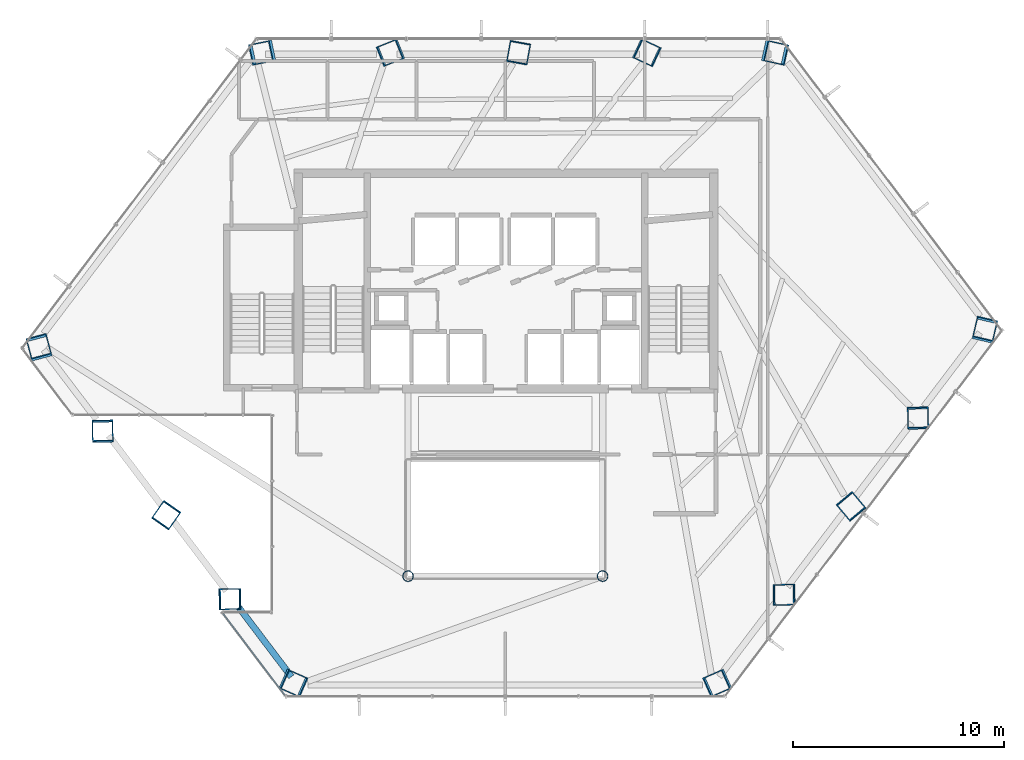
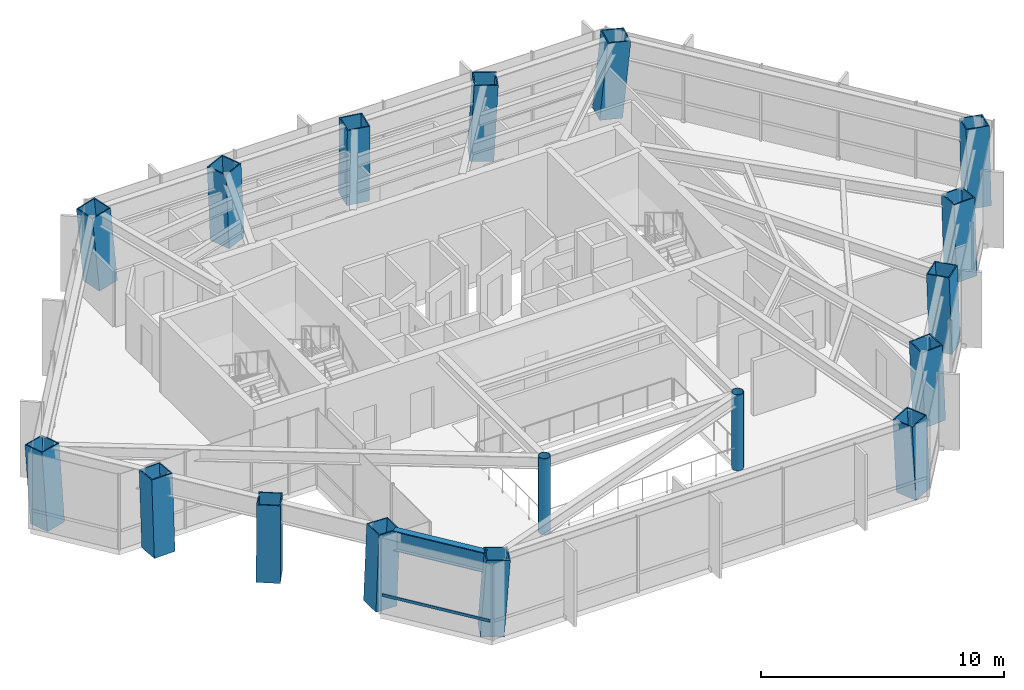
# One storey, part 1 of 24: 17 columns, 1 beam, 1 member, 1 element without a shape of its own.
"""IFC4 building model written with IfcOpenShell, lengths in metres."""

from ifc_helpers import new_model, si_unit, direction, frame, origin, origin_2d, place, context, subcontext, project, spatial, hollow_rectangle, hollow_circle, i_section, extrude, material, layer, layer_set, material_profile, profile_set, type_object, element, aggregate, save


model = new_model("IFC4")

# Units and contexts
model_context = context("Model", 3, precision=1e-05, world=origin(), true_north=direction((0.0, 1.0)))
body_context = subcontext(model_context, "Body", "Model", "MODEL_VIEW")
ifc_project = project(units=[si_unit("LENGTHUNIT", "METRE"), si_unit("AREAUNIT", "SQUARE_METRE"), si_unit("VOLUMEUNIT", "CUBIC_METRE"), si_unit("PLANEANGLEUNIT", "RADIAN"), si_unit("MASSUNIT", "GRAM", prefix="KILO")], contexts=[model_context])

# Site, building, storey
site_placement = place(None, origin())
site = spatial("IfcSite", under=ifc_project, at=site_placement, CompositionType="ELEMENT")
building_placement = place(site_placement, origin())
building = spatial("IfcBuilding", under=site, at=building_placement, Name="Zarrinselat Tower", CompositionType="ELEMENT")
storey_placement = place(building_placement, frame((0.0, 0.0, 68.340087890625)))
storey = spatial("IfcBuildingStorey", under=building, at=storey_placement, Name="L16", CompositionType="ELEMENT", Elevation=68.340087890625)

# Columns
ifc_material_1 = material(Name="Steel S355J2", Category="steel")
ifc_material_profile_1 = material_profile(ifc_material_1, hollow_circle(Radius=0.25390625, WallThickness=0.02001953125, at=origin_2d()), Name="CHS 508x20")
ifc_profile_set_1 = profile_set([ifc_material_profile_1], Name="Steel S355J2")
column_type_1 = type_object("IfcColumnType", Name="COL-CHS508", PredefinedType="COLUMN", material=ifc_profile_set_1)
for number, where, z_axis, x_axis, name in (
    (1, (33.800048828125, 24.39990234375, 0.0), (0.0, 0.0, 1.0), (1.0, 0.0, 0.0), "L16 Atrium Corner Column 1"),
    (2, (43.0, 24.39990234375, 0.0), (0.0, 0.0, 1.0), (1.0, 0.0, 0.0), "L16 Atrium Corner Column 2"),
):
    element("IfcColumn", number, at=place(storey_placement, frame(where, z_axis=z_axis, x_axis=x_axis)), inside=storey, type_object=column_type_1, Name=name, PredefinedType="COLUMN", context=body_context, shape_type="SweptSolid", body=[
        extrude(hollow_circle(Radius=0.25390625, WallThickness=0.02001953125, at=origin_2d()), origin(), (0.0, 0.0, 1.0), 3.81982421875),
    ])
ifc_material_2 = material(Name="Steel S460M", Category="steel")
ifc_material_profile_2 = material_profile(ifc_material_2, hollow_rectangle(XDim=1.0, YDim=1.0, WallThickness=0.050048828125, at=origin_2d()), Name="SHS 1000x1000x50")
ifc_profile_set_2 = profile_set([ifc_material_profile_2], Name="Steel S460M")
column_type_2 = type_object("IfcColumnType", Name="COL-SHS1000", PredefinedType="COLUMN", material=ifc_profile_set_2)
column_1_placement = place(storey_placement, frame((51.102783203125, 49.1611328125, 0.0), z_axis=(0.091314571576, -0.020299197444, 0.995615182488), x_axis=(0.217002484606, 0.976171051443, 0.0)))
element("IfcColumn", 3, at=column_1_placement, inside=storey, type_object=column_type_2, Name="L16 Framed-Tube Column T01", PredefinedType="COLUMN", context=body_context, shape_type="SweptSolid", body=[
    extrude(hollow_rectangle(XDim=1.0, YDim=1.0, WallThickness=0.050048828125, at=origin_2d()), origin(), (0.0, 0.0, 1.0), 3.836669921875),
])
column_2_placement = place(storey_placement, frame((45.067138671875, 49.1611328125, 0.0), z_axis=(0.043921338249, -0.020364690264, 0.998827410235), x_axis=(0.42064633694, 0.907224701614, 0.0)))
element("IfcColumn", 4, at=column_2_placement, inside=storey, type_object=column_type_2, Name="L16 Framed-Tube Column T02", PredefinedType="COLUMN", context=body_context, shape_type="SweptSolid", body=[
    extrude(hollow_rectangle(XDim=1.0, YDim=1.0, WallThickness=0.050048828125, at=origin_2d()), origin(), (0.0, 0.0, 1.0), 3.82421875),
])
column_3_placement = place(storey_placement, frame((39.03125, 49.1611328125, 0.0), z_axis=(-0.003706222059, -0.020384221326, 0.999785350682), x_axis=(0.9838699101, -0.1788854382, 0.0)))
element("IfcColumn", 5, at=column_3_placement, inside=storey, type_object=column_type_2, Name="L16 Framed-Tube Column T03", PredefinedType="COLUMN", context=body_context, shape_type="SweptSolid", body=[
    extrude(hollow_rectangle(XDim=1.0, YDim=1.0, WallThickness=0.050048828125, at=origin_2d()), origin(), (0.0, 0.0, 1.0), 3.820556640625),
])
column_4_placement = place(storey_placement, frame((32.995361328125, 49.1611328125, 0.0), z_axis=(-0.051244939284, -0.02035757862, 0.998478605274), x_axis=(0.36919466432, -0.929352086046, 0.0)))
element("IfcColumn", 6, at=column_4_placement, inside=storey, type_object=column_type_2, Name="L16 Framed-Tube Column T04", PredefinedType="COLUMN", context=body_context, shape_type="SweptSolid", body=[
    extrude(hollow_rectangle(XDim=1.0, YDim=1.0, WallThickness=0.050048828125, at=origin_2d()), origin(), (0.0, 0.0, 1.0), 3.82568359375),
])
column_5_placement = place(storey_placement, frame((26.959716796875, 49.1611328125, 0.0), z_axis=(-0.098563985299, -0.020285104071, 0.994923944508), x_axis=(0.201581600016, -0.979471724214, 0.0)))
element("IfcColumn", 7, at=column_5_placement, inside=storey, type_object=column_type_2, Name="L16 Framed-Tube Column T05", PredefinedType="COLUMN", context=body_context, shape_type="SweptSolid", body=[
    extrude(hollow_rectangle(XDim=1.0, YDim=1.0, WallThickness=0.050048828125, at=origin_2d()), origin(), (0.0, 0.0, 1.0), 3.83935546875),
])
column_6_placement = place(storey_placement, frame((16.364013671875, 35.1748046875, 0.0), z_axis=(-0.021653582575, 0.08139199568, 0.996446920513), x_axis=(-0.966385381035, -0.2570978322, 0.0)))
element("IfcColumn", 8, at=column_6_placement, inside=storey, type_object=column_type_2, Name="L16 Framed-Tube Column T06", PredefinedType="COLUMN", context=body_context, shape_type="SweptSolid", body=[
    extrude(hollow_rectangle(XDim=1.0, YDim=1.0, WallThickness=0.050048828125, at=origin_2d()), origin(), (0.0, 0.0, 1.0), 3.83349609375),
])
column_7_placement = place(storey_placement, frame((19.360107421875, 31.22021484375, 0.0), z_axis=(-0.001276376581, 0.054565098847, 0.99850939948), x_axis=(-0.99972652377, -0.023385415761, 0.0)))
element("IfcColumn", 9, at=column_7_placement, inside=storey, type_object=column_type_2, Name="L16 Framed-Tube Column T07", PredefinedType="COLUMN", context=body_context, shape_type="SweptSolid", body=[
    extrude(hollow_rectangle(XDim=1.0, YDim=1.0, WallThickness=0.050048828125, at=origin_2d()), origin(), (0.0, 0.0, 1.0), 3.825439453125),
])
column_8_placement = place(storey_placement, frame((22.35595703125, 27.265625, 0.0), z_axis=(0.019227293745, 0.027531440545, 0.999436006434), x_axis=(-0.819856995509, 0.572568342571, 0.0)))
element("IfcColumn", 10, at=column_8_placement, inside=storey, type_object=column_type_2, Name="L16 Framed-Tube Column T08", PredefinedType="COLUMN", context=body_context, shape_type="SweptSolid", body=[
    extrude(hollow_rectangle(XDim=1.0, YDim=1.0, WallThickness=0.050048828125, at=origin_2d()), origin(), (0.0, 0.0, 1.0), 3.822021484375),
])
column_9_placement = place(storey_placement, frame((25.351806640625, 23.31103515625, 0.0), z_axis=(0.039723187287, 0.000510909161, 0.999210592099), x_axis=(-0.012860672645, 0.99991729813, 0.0)))
element("IfcColumn", 11, at=column_9_placement, inside=storey, type_object=column_type_2, Name="L16 Framed-Tube Column T09", PredefinedType="COLUMN", context=body_context, shape_type="SweptSolid", body=[
    extrude(hollow_rectangle(XDim=1.0, YDim=1.0, WallThickness=0.050048828125, at=origin_2d()), origin(), (0.0, 0.0, 1.0), 3.82275390625),
])
for number, where, z_axis, x_axis, name in (
    (12, (28.34765625, 19.3564453125, 0.0), (0.06014064601, -0.026530762185, 0.997837271981), (0.403616319493, 0.91492833962, 0.0), "L16 Framed-Tube Column T10"),
    (13, (48.452392578125, 19.3564453125, 0.0), (-0.06014064601, -0.026530762185, 0.997837271981), (0.403616319493, -0.91492833962, 0.0), "L16 Framed-Tube Column T11"),
):
    element("IfcColumn", number, at=place(storey_placement, frame(where, z_axis=z_axis, x_axis=x_axis)), inside=storey, type_object=column_type_2, Name=name, PredefinedType="COLUMN", context=body_context, shape_type="SweptSolid", body=[
        extrude(hollow_rectangle(XDim=1.0, YDim=1.0, WallThickness=0.050048828125, at=origin_2d()), origin(), (0.0, 0.0, 1.0), 3.828125),
    ])
column_10_placement = place(storey_placement, frame((51.60595703125, 23.519287109375, 0.0), z_axis=(-0.040615814873, -0.000702474786, 0.999174590405), x_axis=(0.017293011182, -0.999850464702, 0.0)))
element("IfcColumn", 14, at=column_10_placement, inside=storey, type_object=column_type_2, Name="L16 Framed-Tube Column T12", PredefinedType="COLUMN", context=body_context, shape_type="SweptSolid", body=[
    extrude(hollow_rectangle(XDim=1.0, YDim=1.0, WallThickness=0.050048828125, at=origin_2d()), origin(), (0.0, 0.0, 1.0), 3.822998046875),
])
column_11_placement = place(storey_placement, frame((54.759765625, 27.682373046875, 0.0), z_axis=(-0.021080316934, 0.025104741076, 0.999462541676), x_axis=(-0.765820016719, -0.643054975871, 0.0)))
element("IfcColumn", 15, at=column_11_placement, inside=storey, type_object=column_type_2, Name="L16 Framed-Tube Column T13", PredefinedType="COLUMN", context=body_context, shape_type="SweptSolid", body=[
    extrude(hollow_rectangle(XDim=1.0, YDim=1.0, WallThickness=0.050048828125, at=origin_2d()), origin(), (0.0, 0.0, 1.0), 3.82177734375),
])
column_12_placement = place(storey_placement, frame((57.91357421875, 31.84521484375, 0.0), z_axis=(-0.001531950294, 0.050873516023, 0.998703929348), x_axis=(-0.999546914037, -0.03009927972, 0.0)))
element("IfcColumn", 16, at=column_12_placement, inside=storey, type_object=column_type_2, Name="L16 Framed-Tube Column T14", PredefinedType="COLUMN", context=body_context, shape_type="SweptSolid", body=[
    extrude(hollow_rectangle(XDim=1.0, YDim=1.0, WallThickness=0.050048828125, at=origin_2d()), origin(), (0.0, 0.0, 1.0), 3.82470703125),
])
column_13_placement = place(storey_placement, frame((61.067138671875, 36.00830078125, 0.0), z_axis=(0.018031703959, 0.076523238356, 0.996904735491), x_axis=(-0.973342715599, 0.229355527489, 0.0)))
element("IfcColumn", 17, at=column_13_placement, inside=storey, type_object=column_type_2, Name="L16 Framed-Tube Column T15", PredefinedType="COLUMN", context=body_context, shape_type="SweptSolid", body=[
    extrude(hollow_rectangle(XDim=1.0, YDim=1.0, WallThickness=0.050048828125, at=origin_2d()), origin(), (0.0, 0.0, 1.0), 3.831787109375),
])

# Beam
ifc_material_3 = material(Name="Steel S460M", Category="steel")
ifc_material_profile_3 = material_profile(ifc_material_3, i_section(OverallWidth=0.302001953125, OverallDepth=1.008056640625, WebThickness=0.02099609375, FlangeThickness=0.0400390625, at=origin_2d()), Name="HEM 1000")
ifc_profile_set_3 = profile_set([ifc_material_profile_3], Name="Steel S460M")
beam_type = type_object("IfcBeamType", Name="BM-HEM1000", PredefinedType="BEAM", material=ifc_profile_set_3)
beam_placement = place(storey_placement, frame((25.79833984375, 22.923828125, 3.31591796875), z_axis=(0.60385654571, -0.797093013521, 0.0), x_axis=(0.797093013521, 0.60385654571, 0.0)))
element("IfcBeam", 18, at=beam_placement, inside=storey, type_object=beam_type, Name="L16 Perimeter Spandrel Girder SP09", PredefinedType="BEAM", context=body_context, shape_type="SweptSolid", body=[
    extrude(i_section(OverallWidth=0.302001953125, OverallDepth=1.008056640625, WebThickness=0.02099609375, FlangeThickness=0.0400390625, at=origin_2d()), origin(), (0.0, 0.0, 1.0), 4.114990234375),
])

# Curtain wall, member
ifc_material_4 = material(Name="Extruded Aluminium Alloy EN AW-6063 T6", Category="aluminium")
ifc_layer = layer(ifc_material_4, 0.18505859375)
ifc_layer_set = layer_set([ifc_layer], Name="Extruded Aluminium Alloy EN AW-6063 T6")
curtain_wall_type = type_object("IfcCurtainWallType", Name="CWS-OFF", PredefinedType="NOTDEFINED", material=ifc_layer_set)
curtain_wall_placement = place(storey_placement, origin())
curtain_wall = element("IfcCurtainWall", 19, at=curtain_wall_placement, inside=storey, type_object=curtain_wall_type, Name="L16 Unitised Curtain Wall CW-L16-E06", PredefinedType="NOTDEFINED")
ifc_material_5 = material(Name="Extruded Aluminium Alloy EN AW-6063 T6", Category="aluminium")
ifc_material_profile_4 = material_profile(ifc_material_5, hollow_rectangle(XDim=0.06005859375, YDim=0.139892578125, WallThickness=0.00390625, at=origin_2d()), Name="RHS 140x60x4")
ifc_profile_set_4 = profile_set([ifc_material_profile_4], Name="Extruded Aluminium Alloy EN AW-6063 T6")
member_type = type_object("IfcMemberType", Name="MEM-CW-TRN", PredefinedType="USERDEFINED", material=ifc_profile_set_4)
member_placement = place(storey_placement, frame((27.970458984375, 18.7783203125, 0.949951171875), z_axis=(-0.603875243226, 0.797078848433, 0.0), x_axis=(-0.797078848433, -0.603875243226, 0.0)))
member = element("IfcMember", 20, at=member_placement, type_object=member_type, Name="CW-L16-E06 Transom 1", ObjectType="TRANSOM", PredefinedType="USERDEFINED", context=body_context, shape_type="SweptSolid", body=[
    extrude(hollow_rectangle(XDim=0.06005859375, YDim=0.139892578125, WallThickness=0.00390625, at=origin_2d()), origin(), (0.0, 0.0, 1.0), 4.819580078125),
])
aggregate(curtain_wall, [member])

save(model, "model.ifc")
